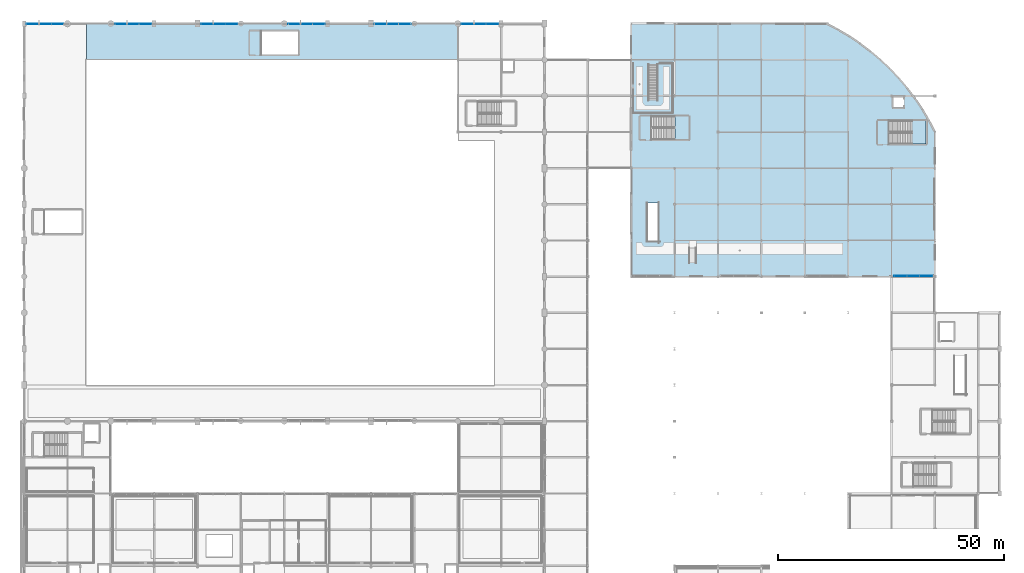
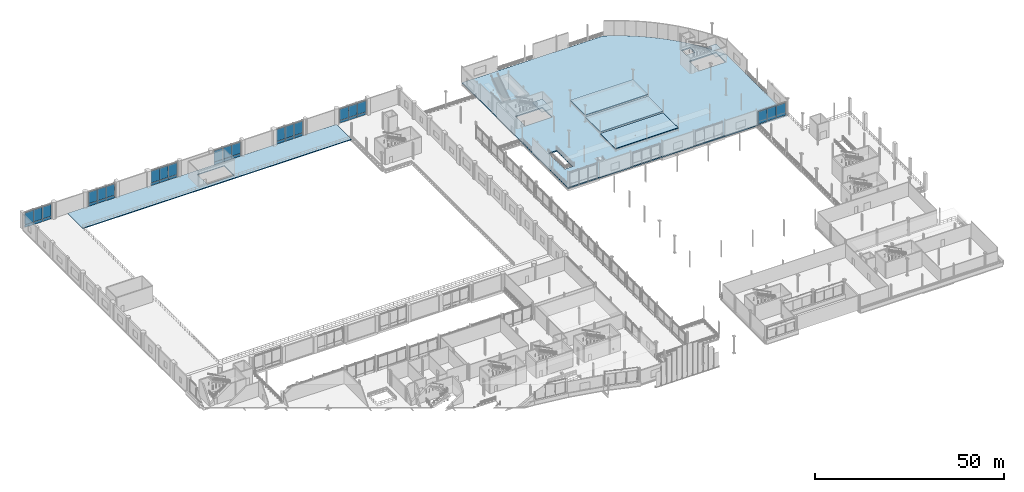
# One storey, part 74 of 129: 39 plates, 7 slabs, 9 elements without a shape of their own.
"""IFC4 building model written with IfcOpenShell, lengths in metres."""

from ifc_helpers import new_model, si_unit, direction, frame, origin, origin_2d, place, context, subcontext, project, spatial, polyline, rectangle, outline, extrude, material, layer, layer_set, type_object, element, aggregate, save


model = new_model("IFC4")

# Units and contexts
model_context = context("Model", 3, precision=1e-05, world=origin(), true_north=direction((0.0, 1.0)))
body_context = subcontext(model_context, "Body", "Model", "MODEL_VIEW")
ifc_project = project(units=[si_unit("LENGTHUNIT", "METRE"), si_unit("AREAUNIT", "SQUARE_METRE"), si_unit("VOLUMEUNIT", "CUBIC_METRE"), si_unit("PLANEANGLEUNIT", "RADIAN"), si_unit("MASSUNIT", "GRAM", prefix="KILO")], contexts=[model_context])

# Site, building, storey
site_placement = place(None, origin())
site = spatial("IfcSite", under=ifc_project, at=site_placement, CompositionType="ELEMENT")
building_placement = place(site_placement, origin())
building = spatial("IfcBuilding", under=site, at=building_placement, Name="Danafjord Basin Convention Centre", CompositionType="ELEMENT")
storey_placement = place(building_placement, frame((0.0, 0.0, 6.0)))
storey = spatial("IfcBuildingStorey", under=building, at=storey_placement, Name="L01", CompositionType="ELEMENT", Elevation=6.0)

# Curtain wall, plates
ifc_material_1 = material(Name="Anodised aluminium and triple glazing", Category="aluminium")
curtain_wall_type_1 = type_object("IfcCurtainWallType", Name="CW-CW-HALL", PredefinedType="NOTDEFINED", material=ifc_material_1)
curtain_wall_1_placement = place(storey_placement, origin())
curtain_wall_1 = element("IfcCurtainWall", 1, at=curtain_wall_1_placement, inside=storey, type_object=curtain_wall_type_1, Name="L01 CW-HALL unitised curtain wall bay 10", PredefinedType="NOTDEFINED")
ifc_material_2 = material(Name="Triple low-E insulated glazing", Category="glass")
ifc_layer_1 = layer(ifc_material_2, 0.0380859375)
ifc_layer_set_1 = layer_set([ifc_layer_1], Name="Triple low-E insulated glazing")
plate_type_1 = type_object("IfcPlateType", Name="PLT-GP-38", PredefinedType="CURTAIN_PANEL", material=ifc_layer_set_1)
plate_1_placement = place(storey_placement, frame((98.24169921875, 143.8798828125, 0.97802734375), z_axis=(0.0, 0.0, 1.0), x_axis=(1.0, 0.0, 0.0)))
plate_1 = element("IfcPlate", 2, at=plate_1_placement, type_object=plate_type_1, Name="CW-L01-010 vision glazing unit 1", PredefinedType="CURTAIN_PANEL", context=body_context, shape_type="SweptSolid", body=[
    extrude(rectangle(XDim=2.627197265625, YDim=0.0380859375, at=origin_2d()), origin(), (0.0, 0.0, 1.0), 3.6640625),
])
plate_2_placement = place(storey_placement, frame((100.925048828125, 143.8798828125, 0.97802734375), z_axis=(0.0, 0.0, 1.0), x_axis=(1.0, 0.0, 0.0)))
plate_2 = element("IfcPlate", 3, at=plate_2_placement, type_object=plate_type_1, Name="CW-L01-010 vision glazing unit 2", PredefinedType="CURTAIN_PANEL", context=body_context, shape_type="SweptSolid", body=[
    extrude(rectangle(XDim=2.627197265625, YDim=0.0380859375, at=origin_2d()), origin(), (0.0, 0.0, 1.0), 3.6640625),
])
plate_3_placement = place(storey_placement, frame((103.6083984375, 143.8798828125, 0.97802734375), z_axis=(0.0, 0.0, 1.0), x_axis=(1.0, 0.0, 0.0)))
plate_3 = element("IfcPlate", 4, at=plate_3_placement, type_object=plate_type_1, Name="CW-L01-010 vision glazing unit 3", PredefinedType="CURTAIN_PANEL", context=body_context, shape_type="SweptSolid", body=[
    extrude(rectangle(XDim=2.627197265625, YDim=0.0380859375, at=origin_2d()), origin(), (0.0, 0.0, 1.0), 3.6640625),
])

curtain_wall_2_placement = place(storey_placement, origin())
curtain_wall_2 = element("IfcCurtainWall", 5, at=curtain_wall_2_placement, inside=storey, type_object=curtain_wall_type_1, Name="L01 CW-HALL unitised curtain wall bay 1", PredefinedType="NOTDEFINED")
ifc_layer_2 = layer(ifc_material_2, 0.048095703125)
ifc_layer_set_2 = layer_set([ifc_layer_2], Name="Triple low-E insulated glazing")
plate_type_2 = type_object("IfcPlateType", Name="PLT-GP-48", PredefinedType="CURTAIN_PANEL", material=ifc_layer_set_2)
plate_4_placement = place(storey_placement, frame((1.949951171875, 143.8798828125, 0.97802734375), z_axis=(0.0, 0.0, 1.0), x_axis=(1.0, 0.0, 0.0)))
plate_4 = element("IfcPlate", 6, at=plate_4_placement, type_object=plate_type_2, Name="CW-L01-001 vision glazing unit 1", PredefinedType="CURTAIN_PANEL", context=body_context, shape_type="SweptSolid", body=[
    extrude(rectangle(XDim=2.64404296875, YDim=0.048095703125, at=origin_2d()), origin(), (0.0, 0.0, 1.0), 3.864013671875),
])
plate_5_placement = place(storey_placement, frame((4.64990234375, 143.8798828125, 0.97802734375), z_axis=(0.0, 0.0, 1.0), x_axis=(1.0, 0.0, 0.0)))
plate_5 = element("IfcPlate", 7, at=plate_5_placement, type_object=plate_type_2, Name="CW-L01-001 vision glazing unit 2", PredefinedType="CURTAIN_PANEL", context=body_context, shape_type="SweptSolid", body=[
    extrude(rectangle(XDim=2.64404296875, YDim=0.048095703125, at=origin_2d()), origin(), (0.0, 0.0, 1.0), 3.864013671875),
])
plate_6_placement = place(storey_placement, frame((7.35009765625, 143.8798828125, 0.97802734375), z_axis=(0.0, 0.0, 1.0), x_axis=(1.0, 0.0, 0.0)))
plate_6 = element("IfcPlate", 8, at=plate_6_placement, type_object=plate_type_2, Name="CW-L01-001 vision glazing unit 3", PredefinedType="CURTAIN_PANEL", context=body_context, shape_type="SweptSolid", body=[
    extrude(rectangle(XDim=2.64404296875, YDim=0.048095703125, at=origin_2d()), origin(), (0.0, 0.0, 1.0), 3.864013671875),
])

curtain_wall_3_placement = place(storey_placement, origin())
curtain_wall_3 = element("IfcCurtainWall", 9, at=curtain_wall_3_placement, inside=storey, type_object=curtain_wall_type_1, Name="L01 CW-HALL unitised curtain wall bay 3", PredefinedType="NOTDEFINED")
plate_7_placement = place(storey_placement, frame((21.441650390625, 143.8798828125, 0.97802734375), z_axis=(0.0, 0.0, 1.0), x_axis=(1.0, 0.0, 0.0)))
plate_7 = element("IfcPlate", 10, at=plate_7_placement, type_object=plate_type_2, Name="CW-L01-003 vision glazing unit 1", PredefinedType="CURTAIN_PANEL", context=body_context, shape_type="SweptSolid", body=[
    extrude(rectangle(XDim=2.627197265625, YDim=0.048095703125, at=origin_2d()), origin(), (0.0, 0.0, 1.0), 3.6640625),
])
plate_8_placement = place(storey_placement, frame((24.125, 143.8798828125, 0.97802734375), z_axis=(0.0, 0.0, 1.0), x_axis=(1.0, 0.0, 0.0)))
plate_8 = element("IfcPlate", 11, at=plate_8_placement, type_object=plate_type_2, Name="CW-L01-003 vision glazing unit 2", PredefinedType="CURTAIN_PANEL", context=body_context, shape_type="SweptSolid", body=[
    extrude(rectangle(XDim=2.627197265625, YDim=0.048095703125, at=origin_2d()), origin(), (0.0, 0.0, 1.0), 3.6640625),
])
plate_9_placement = place(storey_placement, frame((26.808349609375, 143.8798828125, 0.97802734375), z_axis=(0.0, 0.0, 1.0), x_axis=(1.0, 0.0, 0.0)))
plate_9 = element("IfcPlate", 12, at=plate_9_placement, type_object=plate_type_2, Name="CW-L01-003 vision glazing unit 3", PredefinedType="CURTAIN_PANEL", context=body_context, shape_type="SweptSolid", body=[
    extrude(rectangle(XDim=2.627197265625, YDim=0.048095703125, at=origin_2d()), origin(), (0.0, 0.0, 1.0), 3.6640625),
])

curtain_wall_4_placement = place(storey_placement, origin())
curtain_wall_4 = element("IfcCurtainWall", 13, at=curtain_wall_4_placement, inside=storey, type_object=curtain_wall_type_1, Name="L01 CW-HALL unitised curtain wall bay 5", PredefinedType="NOTDEFINED")
plate_10_placement = place(storey_placement, frame((40.49169921875, 143.8798828125, 0.97802734375), z_axis=(0.0, 0.0, 1.0), x_axis=(1.0, 0.0, 0.0)))
plate_10 = element("IfcPlate", 14, at=plate_10_placement, type_object=plate_type_2, Name="CW-L01-005 vision glazing unit 1", PredefinedType="CURTAIN_PANEL", context=body_context, shape_type="SweptSolid", body=[
    extrude(rectangle(XDim=2.627197265625, YDim=0.048095703125, at=origin_2d()), origin(), (0.0, 0.0, 1.0), 3.864013671875),
])
plate_11_placement = place(storey_placement, frame((43.175048828125, 143.8798828125, 0.97802734375), z_axis=(0.0, 0.0, 1.0), x_axis=(1.0, 0.0, 0.0)))
plate_11 = element("IfcPlate", 15, at=plate_11_placement, type_object=plate_type_2, Name="CW-L01-005 vision glazing unit 2", PredefinedType="CURTAIN_PANEL", context=body_context, shape_type="SweptSolid", body=[
    extrude(rectangle(XDim=2.627197265625, YDim=0.048095703125, at=origin_2d()), origin(), (0.0, 0.0, 1.0), 3.864013671875),
])
plate_12_placement = place(storey_placement, frame((45.8583984375, 143.8798828125, 0.97802734375), z_axis=(0.0, 0.0, 1.0), x_axis=(1.0, 0.0, 0.0)))
plate_12 = element("IfcPlate", 16, at=plate_12_placement, type_object=plate_type_2, Name="CW-L01-005 vision glazing unit 3", PredefinedType="CURTAIN_PANEL", context=body_context, shape_type="SweptSolid", body=[
    extrude(rectangle(XDim=2.627197265625, YDim=0.048095703125, at=origin_2d()), origin(), (0.0, 0.0, 1.0), 3.864013671875),
])

curtain_wall_5_placement = place(storey_placement, origin())
curtain_wall_5 = element("IfcCurtainWall", 17, at=curtain_wall_5_placement, inside=storey, type_object=curtain_wall_type_1, Name="L01 CW-HALL unitised curtain wall bay 7", PredefinedType="NOTDEFINED")
plate_13_placement = place(storey_placement, frame((59.841796875, 143.8798828125, 0.97802734375), z_axis=(0.0, 0.0, 1.0), x_axis=(1.0, 0.0, 0.0)))
plate_13 = element("IfcPlate", 18, at=plate_13_placement, type_object=plate_type_2, Name="CW-L01-007 vision glazing unit 1", PredefinedType="CURTAIN_PANEL", context=body_context, shape_type="SweptSolid", body=[
    extrude(rectangle(XDim=2.627197265625, YDim=0.048095703125, at=origin_2d()), origin(), (0.0, 0.0, 1.0), 3.6640625),
])
plate_14_placement = place(storey_placement, frame((62.52490234375, 143.8798828125, 0.97802734375), z_axis=(0.0, 0.0, 1.0), x_axis=(1.0, 0.0, 0.0)))
plate_14 = element("IfcPlate", 19, at=plate_14_placement, type_object=plate_type_2, Name="CW-L01-007 vision glazing unit 2", PredefinedType="CURTAIN_PANEL", context=body_context, shape_type="SweptSolid", body=[
    extrude(rectangle(XDim=2.627197265625, YDim=0.048095703125, at=origin_2d()), origin(), (0.0, 0.0, 1.0), 3.6640625),
])
plate_15_placement = place(storey_placement, frame((65.208251953125, 143.8798828125, 0.97802734375), z_axis=(0.0, 0.0, 1.0), x_axis=(1.0, 0.0, 0.0)))
plate_15 = element("IfcPlate", 20, at=plate_15_placement, type_object=plate_type_2, Name="CW-L01-007 vision glazing unit 3", PredefinedType="CURTAIN_PANEL", context=body_context, shape_type="SweptSolid", body=[
    extrude(rectangle(XDim=2.627197265625, YDim=0.048095703125, at=origin_2d()), origin(), (0.0, 0.0, 1.0), 3.6640625),
])

curtain_wall_6_placement = place(storey_placement, origin())
curtain_wall_6 = element("IfcCurtainWall", 21, at=curtain_wall_6_placement, inside=storey, type_object=curtain_wall_type_1, Name="L01 CW-HALL unitised curtain wall bay 9", PredefinedType="NOTDEFINED")
plate_16_placement = place(storey_placement, frame((78.8916015625, 143.8798828125, 0.97802734375), z_axis=(0.0, 0.0, 1.0), x_axis=(1.0, 0.0, 0.0)))
plate_16 = element("IfcPlate", 22, at=plate_16_placement, type_object=plate_type_2, Name="CW-L01-009 vision glazing unit 1", PredefinedType="CURTAIN_PANEL", context=body_context, shape_type="SweptSolid", body=[
    extrude(rectangle(XDim=2.627197265625, YDim=0.048095703125, at=origin_2d()), origin(), (0.0, 0.0, 1.0), 3.864013671875),
])
plate_17_placement = place(storey_placement, frame((81.574951171875, 143.8798828125, 0.97802734375), z_axis=(0.0, 0.0, 1.0), x_axis=(1.0, 0.0, 0.0)))
plate_17 = element("IfcPlate", 23, at=plate_17_placement, type_object=plate_type_2, Name="CW-L01-009 vision glazing unit 2", PredefinedType="CURTAIN_PANEL", context=body_context, shape_type="SweptSolid", body=[
    extrude(rectangle(XDim=2.627197265625, YDim=0.048095703125, at=origin_2d()), origin(), (0.0, 0.0, 1.0), 3.864013671875),
])
plate_18_placement = place(storey_placement, frame((84.25830078125, 143.8798828125, 0.97802734375), z_axis=(0.0, 0.0, 1.0), x_axis=(1.0, 0.0, 0.0)))
plate_18 = element("IfcPlate", 24, at=plate_18_placement, type_object=plate_type_2, Name="CW-L01-009 vision glazing unit 3", PredefinedType="CURTAIN_PANEL", context=body_context, shape_type="SweptSolid", body=[
    extrude(rectangle(XDim=2.627197265625, YDim=0.048095703125, at=origin_2d()), origin(), (0.0, 0.0, 1.0), 3.864013671875),
])

curtain_wall_type_2 = type_object("IfcCurtainWallType", Name="CW-CW-DRUM", PredefinedType="NOTDEFINED", material=ifc_material_1)
curtain_wall_7_placement = place(storey_placement, origin())
curtain_wall_7 = element("IfcCurtainWall", 25, at=curtain_wall_7_placement, inside=storey, type_object=curtain_wall_type_2, Name="L01 CW-DRUM unitised curtain wall bay 121", PredefinedType="NOTDEFINED")
plate_19_placement = place(storey_placement, frame((194.0, 88.1201171875, 0.088134765625), z_axis=(0.0, 0.0, 1.0), x_axis=(1.0, 0.0, 0.0)))
plate_19 = element("IfcPlate", 26, at=plate_19_placement, type_object=plate_type_2, Name="CW-L01-121 vision glazing unit 1", PredefinedType="CURTAIN_PANEL", context=body_context, shape_type="SweptSolid", body=[
    extrude(rectangle(XDim=2.743896484375, YDim=0.048095703125, at=origin_2d()), origin(), (0.0, 0.0, 1.0), 4.0439453125),
])
plate_20_placement = place(storey_placement, frame((196.800048828125, 88.1201171875, 0.088134765625), z_axis=(0.0, 0.0, 1.0), x_axis=(1.0, 0.0, 0.0)))
plate_20 = element("IfcPlate", 27, at=plate_20_placement, type_object=plate_type_2, Name="CW-L01-121 vision glazing unit 2", PredefinedType="CURTAIN_PANEL", context=body_context, shape_type="SweptSolid", body=[
    extrude(rectangle(XDim=2.743896484375, YDim=0.048095703125, at=origin_2d()), origin(), (0.0, 0.0, 1.0), 4.0439453125),
])
plate_21_placement = place(storey_placement, frame((199.60009765625, 88.1201171875, 0.088134765625), z_axis=(0.0, 0.0, 1.0), x_axis=(1.0, 0.0, 0.0)))
plate_21 = element("IfcPlate", 28, at=plate_21_placement, type_object=plate_type_2, Name="CW-L01-121 vision glazing unit 3", PredefinedType="CURTAIN_PANEL", context=body_context, shape_type="SweptSolid", body=[
    extrude(rectangle(XDim=2.743896484375, YDim=0.048095703125, at=origin_2d()), origin(), (0.0, 0.0, 1.0), 4.0439453125),
])
aggregate(curtain_wall_7, [plate_19, plate_20, plate_21])

# Plate
ifc_material_3 = material(Name="Insulated aluminium spandrel cassette", Category="aluminium")
ifc_layer_3 = layer(ifc_material_3, 0.070068359375)
ifc_layer_set_3 = layer_set([ifc_layer_3], Name="Insulated aluminium spandrel cassette")
plate_type_3 = type_object("IfcPlateType", Name="PLT-SPN-70", PredefinedType="CURTAIN_PANEL", material=ifc_layer_set_3)
plate_22_placement = place(storey_placement, frame((98.24169921875, 143.8798828125, 0.087890625), z_axis=(0.0, 0.0, 1.0), x_axis=(1.0, 0.0, 0.0)))
plate_22 = element("IfcPlate", 29, at=plate_22_placement, type_object=plate_type_3, Name="CW-L01-010 spandrel cassette 1", PredefinedType="CURTAIN_PANEL", context=body_context, shape_type="SweptSolid", body=[
    extrude(rectangle(XDim=2.627197265625, YDim=0.070068359375, at=origin_2d()), origin(), (0.0, 0.0, 1.0), 0.833984375),
])

plate_23_placement = place(storey_placement, frame((100.925048828125, 143.8798828125, 0.087890625), z_axis=(0.0, 0.0, 1.0), x_axis=(1.0, 0.0, 0.0)))
plate_23 = element("IfcPlate", 30, at=plate_23_placement, type_object=plate_type_3, Name="CW-L01-010 spandrel cassette 2", PredefinedType="CURTAIN_PANEL", context=body_context, shape_type="SweptSolid", body=[
    extrude(rectangle(XDim=2.627197265625, YDim=0.070068359375, at=origin_2d()), origin(), (0.0, 0.0, 1.0), 0.833984375),
])

plate_24_placement = place(storey_placement, frame((103.6083984375, 143.8798828125, 0.087890625), z_axis=(0.0, 0.0, 1.0), x_axis=(1.0, 0.0, 0.0)))
plate_24 = element("IfcPlate", 31, at=plate_24_placement, type_object=plate_type_3, Name="CW-L01-010 spandrel cassette 3", PredefinedType="CURTAIN_PANEL", context=body_context, shape_type="SweptSolid", body=[
    extrude(rectangle(XDim=2.627197265625, YDim=0.070068359375, at=origin_2d()), origin(), (0.0, 0.0, 1.0), 0.833984375),
])

aggregate(curtain_wall_1, [plate_22, plate_1, plate_23, plate_2, plate_24, plate_3])

ifc_layer_4 = layer(ifc_material_3, 0.090087890625)
ifc_layer_set_4 = layer_set([ifc_layer_4], Name="Insulated aluminium spandrel cassette")
plate_type_4 = type_object("IfcPlateType", Name="PLT-SPN-90", PredefinedType="CURTAIN_PANEL", material=ifc_layer_set_4)
plate_25_placement = place(storey_placement, frame((1.949951171875, 143.8798828125, 0.087890625), z_axis=(0.0, 0.0, 1.0), x_axis=(1.0, 0.0, 0.0)))
plate_25 = element("IfcPlate", 32, at=plate_25_placement, type_object=plate_type_4, Name="CW-L01-001 spandrel cassette 1", PredefinedType="CURTAIN_PANEL", context=body_context, shape_type="SweptSolid", body=[
    extrude(rectangle(XDim=2.64404296875, YDim=0.090087890625, at=origin_2d()), origin(), (0.0, 0.0, 1.0), 0.833984375),
])

plate_26_placement = place(storey_placement, frame((4.64990234375, 143.8798828125, 0.087890625), z_axis=(0.0, 0.0, 1.0), x_axis=(1.0, 0.0, 0.0)))
plate_26 = element("IfcPlate", 33, at=plate_26_placement, type_object=plate_type_4, Name="CW-L01-001 spandrel cassette 2", PredefinedType="CURTAIN_PANEL", context=body_context, shape_type="SweptSolid", body=[
    extrude(rectangle(XDim=2.64404296875, YDim=0.090087890625, at=origin_2d()), origin(), (0.0, 0.0, 1.0), 0.833984375),
])

plate_27_placement = place(storey_placement, frame((7.35009765625, 143.8798828125, 0.087890625), z_axis=(0.0, 0.0, 1.0), x_axis=(1.0, 0.0, 0.0)))
plate_27 = element("IfcPlate", 34, at=plate_27_placement, type_object=plate_type_4, Name="CW-L01-001 spandrel cassette 3", PredefinedType="CURTAIN_PANEL", context=body_context, shape_type="SweptSolid", body=[
    extrude(rectangle(XDim=2.64404296875, YDim=0.090087890625, at=origin_2d()), origin(), (0.0, 0.0, 1.0), 0.833984375),
])

aggregate(curtain_wall_2, [plate_25, plate_4, plate_26, plate_5, plate_27, plate_6])

plate_28_placement = place(storey_placement, frame((21.441650390625, 143.8798828125, 0.087890625), z_axis=(0.0, 0.0, 1.0), x_axis=(1.0, 0.0, 0.0)))
plate_28 = element("IfcPlate", 35, at=plate_28_placement, type_object=plate_type_4, Name="CW-L01-003 spandrel cassette 1", PredefinedType="CURTAIN_PANEL", context=body_context, shape_type="SweptSolid", body=[
    extrude(rectangle(XDim=2.627197265625, YDim=0.090087890625, at=origin_2d()), origin(), (0.0, 0.0, 1.0), 0.833984375),
])

plate_29_placement = place(storey_placement, frame((24.125, 143.8798828125, 0.087890625), z_axis=(0.0, 0.0, 1.0), x_axis=(1.0, 0.0, 0.0)))
plate_29 = element("IfcPlate", 36, at=plate_29_placement, type_object=plate_type_4, Name="CW-L01-003 spandrel cassette 2", PredefinedType="CURTAIN_PANEL", context=body_context, shape_type="SweptSolid", body=[
    extrude(rectangle(XDim=2.627197265625, YDim=0.090087890625, at=origin_2d()), origin(), (0.0, 0.0, 1.0), 0.833984375),
])

plate_30_placement = place(storey_placement, frame((26.808349609375, 143.8798828125, 0.087890625), z_axis=(0.0, 0.0, 1.0), x_axis=(1.0, 0.0, 0.0)))
plate_30 = element("IfcPlate", 37, at=plate_30_placement, type_object=plate_type_4, Name="CW-L01-003 spandrel cassette 3", PredefinedType="CURTAIN_PANEL", context=body_context, shape_type="SweptSolid", body=[
    extrude(rectangle(XDim=2.627197265625, YDim=0.090087890625, at=origin_2d()), origin(), (0.0, 0.0, 1.0), 0.833984375),
])

aggregate(curtain_wall_3, [plate_28, plate_7, plate_29, plate_8, plate_30, plate_9])

plate_31_placement = place(storey_placement, frame((40.49169921875, 143.8798828125, 0.087890625), z_axis=(0.0, 0.0, 1.0), x_axis=(1.0, 0.0, 0.0)))
plate_31 = element("IfcPlate", 38, at=plate_31_placement, type_object=plate_type_4, Name="CW-L01-005 spandrel cassette 1", PredefinedType="CURTAIN_PANEL", context=body_context, shape_type="SweptSolid", body=[
    extrude(rectangle(XDim=2.627197265625, YDim=0.090087890625, at=origin_2d()), origin(), (0.0, 0.0, 1.0), 0.833984375),
])

plate_32_placement = place(storey_placement, frame((43.175048828125, 143.8798828125, 0.087890625), z_axis=(0.0, 0.0, 1.0), x_axis=(1.0, 0.0, 0.0)))
plate_32 = element("IfcPlate", 39, at=plate_32_placement, type_object=plate_type_4, Name="CW-L01-005 spandrel cassette 2", PredefinedType="CURTAIN_PANEL", context=body_context, shape_type="SweptSolid", body=[
    extrude(rectangle(XDim=2.627197265625, YDim=0.090087890625, at=origin_2d()), origin(), (0.0, 0.0, 1.0), 0.833984375),
])

plate_33_placement = place(storey_placement, frame((45.8583984375, 143.8798828125, 0.087890625), z_axis=(0.0, 0.0, 1.0), x_axis=(1.0, 0.0, 0.0)))
plate_33 = element("IfcPlate", 40, at=plate_33_placement, type_object=plate_type_4, Name="CW-L01-005 spandrel cassette 3", PredefinedType="CURTAIN_PANEL", context=body_context, shape_type="SweptSolid", body=[
    extrude(rectangle(XDim=2.627197265625, YDim=0.090087890625, at=origin_2d()), origin(), (0.0, 0.0, 1.0), 0.833984375),
])

aggregate(curtain_wall_4, [plate_31, plate_10, plate_32, plate_11, plate_33, plate_12])

plate_34_placement = place(storey_placement, frame((59.841796875, 143.8798828125, 0.087890625), z_axis=(0.0, 0.0, 1.0), x_axis=(1.0, 0.0, 0.0)))
plate_34 = element("IfcPlate", 41, at=plate_34_placement, type_object=plate_type_4, Name="CW-L01-007 spandrel cassette 1", PredefinedType="CURTAIN_PANEL", context=body_context, shape_type="SweptSolid", body=[
    extrude(rectangle(XDim=2.627197265625, YDim=0.090087890625, at=origin_2d()), origin(), (0.0, 0.0, 1.0), 0.833984375),
])

plate_35_placement = place(storey_placement, frame((62.52490234375, 143.8798828125, 0.087890625), z_axis=(0.0, 0.0, 1.0), x_axis=(1.0, 0.0, 0.0)))
plate_35 = element("IfcPlate", 42, at=plate_35_placement, type_object=plate_type_4, Name="CW-L01-007 spandrel cassette 2", PredefinedType="CURTAIN_PANEL", context=body_context, shape_type="SweptSolid", body=[
    extrude(rectangle(XDim=2.627197265625, YDim=0.090087890625, at=origin_2d()), origin(), (0.0, 0.0, 1.0), 0.833984375),
])

plate_36_placement = place(storey_placement, frame((65.208251953125, 143.8798828125, 0.087890625), z_axis=(0.0, 0.0, 1.0), x_axis=(1.0, 0.0, 0.0)))
plate_36 = element("IfcPlate", 43, at=plate_36_placement, type_object=plate_type_4, Name="CW-L01-007 spandrel cassette 3", PredefinedType="CURTAIN_PANEL", context=body_context, shape_type="SweptSolid", body=[
    extrude(rectangle(XDim=2.627197265625, YDim=0.090087890625, at=origin_2d()), origin(), (0.0, 0.0, 1.0), 0.833984375),
])

aggregate(curtain_wall_5, [plate_34, plate_13, plate_35, plate_14, plate_36, plate_15])

plate_37_placement = place(storey_placement, frame((78.8916015625, 143.8798828125, 0.087890625), z_axis=(0.0, 0.0, 1.0), x_axis=(1.0, 0.0, 0.0)))
plate_37 = element("IfcPlate", 44, at=plate_37_placement, type_object=plate_type_4, Name="CW-L01-009 spandrel cassette 1", PredefinedType="CURTAIN_PANEL", context=body_context, shape_type="SweptSolid", body=[
    extrude(rectangle(XDim=2.627197265625, YDim=0.090087890625, at=origin_2d()), origin(), (0.0, 0.0, 1.0), 0.833984375),
])

plate_38_placement = place(storey_placement, frame((81.574951171875, 143.8798828125, 0.087890625), z_axis=(0.0, 0.0, 1.0), x_axis=(1.0, 0.0, 0.0)))
plate_38 = element("IfcPlate", 45, at=plate_38_placement, type_object=plate_type_4, Name="CW-L01-009 spandrel cassette 2", PredefinedType="CURTAIN_PANEL", context=body_context, shape_type="SweptSolid", body=[
    extrude(rectangle(XDim=2.627197265625, YDim=0.090087890625, at=origin_2d()), origin(), (0.0, 0.0, 1.0), 0.833984375),
])

plate_39_placement = place(storey_placement, frame((84.25830078125, 143.8798828125, 0.087890625), z_axis=(0.0, 0.0, 1.0), x_axis=(1.0, 0.0, 0.0)))
plate_39 = element("IfcPlate", 46, at=plate_39_placement, type_object=plate_type_4, Name="CW-L01-009 spandrel cassette 3", PredefinedType="CURTAIN_PANEL", context=body_context, shape_type="SweptSolid", body=[
    extrude(rectangle(XDim=2.627197265625, YDim=0.090087890625, at=origin_2d()), origin(), (0.0, 0.0, 1.0), 0.833984375),
])

aggregate(curtain_wall_6, [plate_37, plate_16, plate_38, plate_17, plate_39, plate_18])

# Slabs
ifc_material_4 = material(Name="Concrete C35/45", Category="concrete")
ifc_layer_5 = layer(ifc_material_4, 0.25)
ifc_layer_set_5 = layer_set([ifc_layer_5], Name="Concrete C35/45")
slab_type_1 = type_object("IfcSlabType", Name="SLAB-FS-250", PredefinedType="FLOOR", material=ifc_layer_set_5)
slab_1_placement = place(storey_placement, frame((0.0, 0.0, -0.25)))
element("IfcSlab", 47, at=slab_1_placement, inside=storey, type_object=slab_type_1, Name="L01 FS-250 slab SL-L01-V1N", PredefinedType="FLOOR", context=body_context, shape_type="SweptSolid", body=[
    extrude(outline(polyline([(13.800048828125, 144.0), (96.0, 144.0), (96.0, 136.0), (13.800048828125, 136.0), (13.800048828125, 144.0)]), holes=[polyline([(52.530029296875, 137.159912109375), (60.72998046875, 137.159912109375), (60.72998046875, 142.300048828125), (52.530029296875, 142.300048828125), (52.530029296875, 137.159912109375)])]), origin(), (0.0, 0.0, 1.0), 0.25),
])
ifc_layer_6 = layer(ifc_material_4, 0.360107421875)
ifc_layer_set_6 = layer_set([ifc_layer_6], Name="Concrete C35/45")
slab_type_2 = type_object("IfcSlabType", Name="SLAB-FS-360", PredefinedType="FLOOR", material=ifc_layer_set_6)
slab_2_placement = place(storey_placement, frame((0.0, 0.0, -0.360107421875)))
element("IfcSlab", 48, at=slab_2_placement, inside=storey, type_object=slab_type_2, Name="L01 FS-360 slab SL-L01-V2", PredefinedType="FLOOR", context=body_context, shape_type="SweptSolid", body=[
    extrude(outline(polyline([(134.449951171875, 144.0), (177.60009765625, 144.0), (180.154296875, 142.66796875), (182.631103515625, 141.196533203125), (185.022705078125, 139.59033203125), (187.3212890625, 137.85400390625), (189.5205078125, 135.9931640625), (191.61328125, 134.01318359375), (193.593017578125, 131.920654296875), (195.4541015625, 129.721435546875), (197.190185546875, 127.422607421875), (198.796630859375, 125.031005859375), (200.26806640625, 122.554443359375), (201.60009765625, 120.0), (201.60009765625, 88.0), (134.449951171875, 88.0), (134.449951171875, 144.0)]), holes=[polyline([(191.47998046875, 122.5), (191.47998046875, 117.360107421875), (199.679931640625, 117.360107421875), (199.679931640625, 122.5), (191.47998046875, 122.5)]), polyline([(194.800048828125, 127.89990234375), (192.199951171875, 127.89990234375), (192.199951171875, 125.300048828125), (194.800048828125, 125.300048828125), (194.800048828125, 127.89990234375)]), polyline([(138.929931640625, 123.5), (138.929931640625, 118.360107421875), (147.1298828125, 118.360107421875), (147.1298828125, 123.5), (138.929931640625, 123.5)]), polyline([(137.97509765625, 104.324951171875), (137.97509765625, 95.800048828125), (140.425048828125, 95.800048828125), (140.425048828125, 104.324951171875), (137.97509765625, 104.324951171875)])]), origin(), (0.0, 0.0, 1.0), 0.360107421875),
])

# Stair, slab
ifc_material_5 = material(Name="Concrete C40/50", Category="concrete")
stair_type = type_object("IfcStairType", Name="STAIR-STR-C01", PredefinedType="TWO_STRAIGHT_RUN_STAIR", material=ifc_material_5)
stair_1_placement = place(storey_placement, origin())
stair_1 = element("IfcStair", 49, at=stair_1_placement, inside=storey, type_object=stair_type, Name="L01 Plenary North-East Core Stair 1", PredefinedType="HALF_TURN_STAIR")
ifc_layer_7 = layer(ifc_material_5, 0.199951171875)
ifc_layer_set_7 = layer_set([ifc_layer_7], Name="Concrete C40/50")
slab_type_3 = type_object("IfcSlabType", Name="SLAB-LAND-200", PredefinedType="LANDING", material=ifc_layer_set_7)
slab_3_placement = place(storey_placement, frame((0.0, 0.0, 2.5)))
slab_3 = element("IfcSlab", 50, at=slab_3_placement, type_object=slab_type_3, Name="ST-11 landing 1", PredefinedType="LANDING", context=body_context, shape_type="SweptSolid", body=[
    extrude(outline(polyline([(196.590087890625, 117.360107421875), (199.679931640625, 117.360107421875), (199.679931640625, 122.5), (196.590087890625, 122.5), (196.590087890625, 117.360107421875)])), origin(), (0.0, 0.0, 1.0), 0.199951171875),
])
aggregate(stair_1, [slab_3])

stair_2_placement = place(storey_placement, origin())
stair_2 = element("IfcStair", 51, at=stair_2_placement, inside=storey, type_object=stair_type, Name="L01 Plenary West Escape Stair", PredefinedType="HALF_TURN_STAIR")
slab_4_placement = place(storey_placement, frame((0.0, 0.0, 2.5)))
slab_4 = element("IfcSlab", 52, at=slab_4_placement, type_object=slab_type_3, Name="ST-12 landing 1", PredefinedType="LANDING", context=body_context, shape_type="SweptSolid", body=[
    extrude(outline(polyline([(144.0400390625, 118.360107421875), (147.1298828125, 118.360107421875), (147.1298828125, 123.5), (144.0400390625, 123.5), (144.0400390625, 118.360107421875)])), origin(), (0.0, 0.0, 1.0), 0.199951171875),
])
aggregate(stair_2, [slab_4])

# Slabs
ifc_material_6 = material(Name="Precast concrete C40/50", Category="concrete")
ifc_layer_8 = layer(ifc_material_6, 0.219970703125)
ifc_layer_set_8 = layer_set([ifc_layer_8], Name="Precast concrete C40/50")
slab_type_4 = type_object("IfcSlabType", Name="SLAB-ST-TIER-220", PredefinedType="USERDEFINED", material=ifc_layer_set_8)
slab_5_placement = place(storey_placement, frame((0.0, 0.0, 0.860107421875)))
element("IfcSlab", 53, at=slab_5_placement, inside=storey, type_object=slab_type_4, Name="Plenary lower bowl seating tier row 1", ObjectType="SEATING TIER", PredefinedType="USERDEFINED", context=body_context, shape_type="SweptSolid", body=[
    extrude(outline(polyline([(153.60009765625, 96.0), (172.800048828125, 96.0), (172.800048828125, 104.0), (153.60009765625, 104.0), (153.60009765625, 96.0)])), origin(), (0.0, 0.0, 1.0), 0.219970703125),
])
slab_6_placement = place(storey_placement, frame((0.0, 0.0, 1.419921875)))
element("IfcSlab", 54, at=slab_6_placement, inside=storey, type_object=slab_type_4, Name="Plenary lower bowl seating tier row 2", ObjectType="SEATING TIER", PredefinedType="USERDEFINED", context=body_context, shape_type="SweptSolid", body=[
    extrude(outline(polyline([(153.60009765625, 104.0), (172.800048828125, 104.0), (172.800048828125, 112.0), (153.60009765625, 112.0), (153.60009765625, 104.0)])), origin(), (0.0, 0.0, 1.0), 0.219970703125),
])
slab_7_placement = place(storey_placement, frame((0.0, 0.0, 1.97998046875)))
element("IfcSlab", 55, at=slab_7_placement, inside=storey, type_object=slab_type_4, Name="Plenary lower bowl seating tier row 3", ObjectType="SEATING TIER", PredefinedType="USERDEFINED", context=body_context, shape_type="SweptSolid", body=[
    extrude(outline(polyline([(153.60009765625, 112.0), (172.800048828125, 112.0), (172.800048828125, 120.0), (153.60009765625, 120.0), (153.60009765625, 112.0)])), origin(), (0.0, 0.0, 1.0), 0.219970703125),
])

save(model, "model.ifc")
